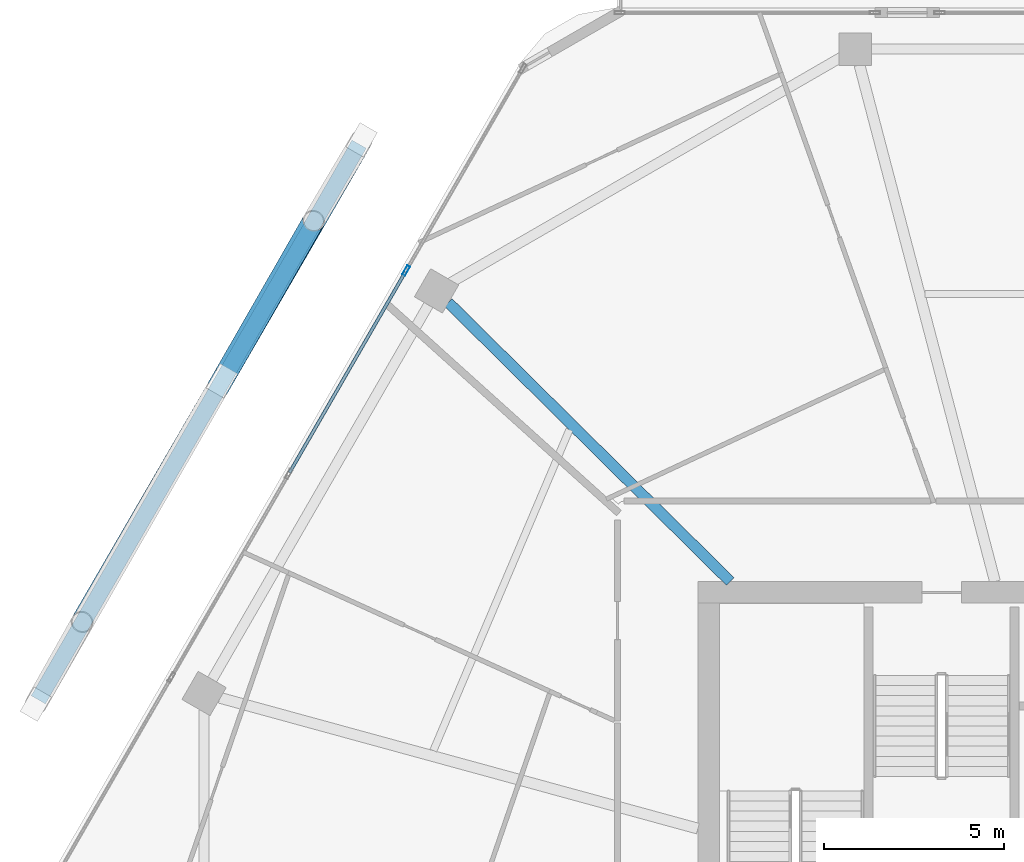
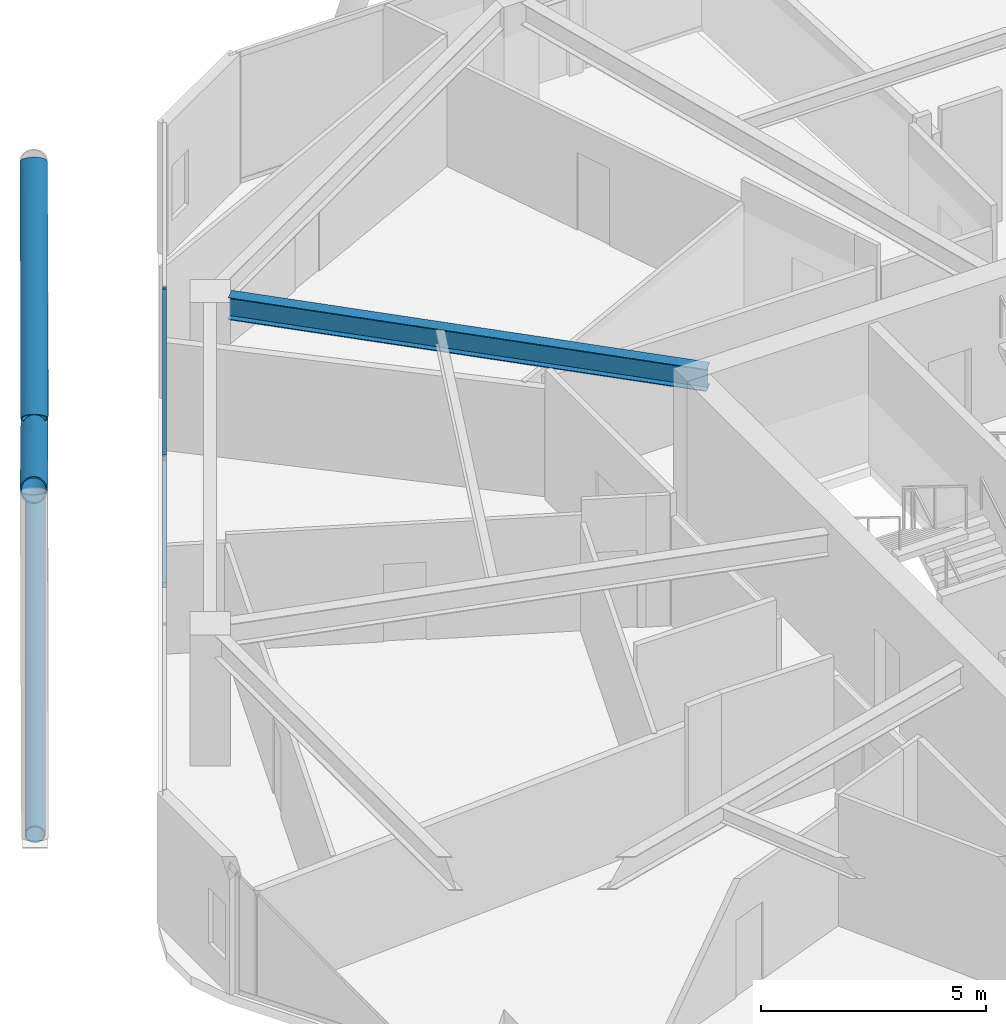
# One storey, part 13 of 26: 6 members, 1 beam, 1 element without a shape of its own.
"""IFC4 building model written with IfcOpenShell, lengths in metres."""

from ifc_helpers import new_model, si_unit, direction, frame, origin, origin_2d, place, context, subcontext, project, spatial, hollow_rectangle, hollow_circle, i_section, extrude, material, material_profile, profile_set, type_object, element, aggregate, save


model = new_model("IFC4")

# Units and contexts
model_context = context("Model", 3, precision=1e-05, world=origin(), true_north=direction((0.0, 1.0)))
body_context = subcontext(model_context, "Body", "Model", "MODEL_VIEW")
ifc_project = project(units=[si_unit("LENGTHUNIT", "METRE"), si_unit("AREAUNIT", "SQUARE_METRE"), si_unit("VOLUMEUNIT", "CUBIC_METRE"), si_unit("PLANEANGLEUNIT", "RADIAN"), si_unit("MASSUNIT", "GRAM", prefix="KILO")], contexts=[model_context])

# Site, building, storey
site_placement = place(None, origin())
site = spatial("IfcSite", under=ifc_project, at=site_placement, CompositionType="ELEMENT")
building_placement = place(site_placement, origin())
building = spatial("IfcBuilding", under=site, at=building_placement, Name="Zuhravey Tower", CompositionType="ELEMENT")
storey_placement = place(building_placement, frame((0.0, 0.0, 231.199951171875)))
storey = spatial("IfcBuildingStorey", under=building, at=storey_placement, Name="L58", CompositionType="ELEMENT", Elevation=231.199951171875)

# Curtain wall, members
ifc_material_1 = material(Name="Thermally broken anodised aluminium", Category="aluminium")
curtain_wall_type = type_object("IfcCurtainWallType", Name="Zone 3-4 High-Rise Curtain Wall CW4", PredefinedType="NOTDEFINED", material=ifc_material_1)
curtain_wall_placement = place(storey_placement, origin())
curtain_wall = element("IfcCurtainWall", 1, at=curtain_wall_placement, inside=storey, type_object=curtain_wall_type, Name="L58 CW4 CW-L58-F3-1", PredefinedType="NOTDEFINED")
ifc_material_2 = material(Name="Anodised aluminium", Category="aluminium")
ifc_material_profile_1 = material_profile(ifc_material_2, hollow_rectangle(XDim=0.090087890625, YDim=0.284912109375, WallThickness=0.0048828125, at=origin_2d()), Name="ALU-RHS-90x285x5")
ifc_profile_set_1 = profile_set([ifc_material_profile_1], Name="Anodised aluminium")
member_type_1 = type_object("IfcMemberType", Name="Curtain-Wall Mullion 90x180", PredefinedType="MULLION", material=ifc_profile_set_1)
member_1_placement = place(storey_placement, frame((17.114501953125, 50.41650390625, 0.0), z_axis=(0.0, 0.0, 1.0), x_axis=(-0.866024851021, 0.500000957414, 0.0)))
member_1 = element("IfcMember", 2, at=member_1_placement, type_object=member_type_1, Name="CW4 mullion 4", PredefinedType="MULLION", context=body_context, shape_type="SweptSolid", body=[
    extrude(hollow_rectangle(XDim=0.090087890625, YDim=0.284912109375, WallThickness=0.0048828125, at=origin_2d()), origin(), (0.0, 0.0, 1.0), 3.550048828125),
])
ifc_material_profile_2 = material_profile(ifc_material_2, hollow_rectangle(XDim=0.090087890625, YDim=0.14990234375, WallThickness=0.0048828125, at=origin_2d()), Name="ALU-RHS-90x150x5")
ifc_profile_set_2 = profile_set([ifc_material_profile_2], Name="Anodised aluminium")
member_type_2 = type_object("IfcMemberType", Name="Curtain-Wall Transom 90x150", PredefinedType="USERDEFINED", material=ifc_profile_set_2)
member_2_placement = place(storey_placement, frame((13.8837890625, 44.82080078125, 0.045166015625), z_axis=(0.500014493347, 0.866017035885, 0.0), x_axis=(-0.866017035885, 0.500014493347, 0.0)))
member_2 = element("IfcMember", 3, at=member_2_placement, type_object=member_type_2, Name="CW4 transom 3.1", ObjectType="TRANSOM", PredefinedType="USERDEFINED", context=body_context, shape_type="SweptSolid", body=[
    extrude(hollow_rectangle(XDim=0.090087890625, YDim=0.14990234375, WallThickness=0.0048828125, at=origin_2d()), origin(), (0.0, 0.0, 1.0), 6.416259765625),
])
member_3_placement = place(storey_placement, frame((13.8837890625, 44.82080078125, 3.505126953125), z_axis=(0.500014493347, 0.866017035885, 0.0), x_axis=(-0.866017035885, 0.500014493347, 0.0)))
member_3 = element("IfcMember", 4, at=member_3_placement, type_object=member_type_2, Name="CW4 transom 3.2", ObjectType="TRANSOM", PredefinedType="USERDEFINED", context=body_context, shape_type="SweptSolid", body=[
    extrude(hollow_rectangle(XDim=0.090087890625, YDim=0.14990234375, WallThickness=0.0048828125, at=origin_2d()), origin(), (0.0, 0.0, 1.0), 6.416259765625),
])
aggregate(curtain_wall, [member_1, member_2, member_3])

# Members
ifc_material_3 = material(Name="Steel SM355", Category="steel")
ifc_material_profile_3 = material_profile(ifc_material_3, hollow_circle(Radius=0.228515625, WallThickness=0.02197265625, at=origin_2d()), Name="CHS-457.2x22")
ifc_profile_set_3 = profile_set([ifc_material_profile_3], Name="Steel SM355")
member_type_3 = type_object("IfcMemberType", Name="Exoskeleton Ring Tie CHS457x22", PredefinedType="CHORD", material=ifc_profile_set_3)
member_4_placement = place(storey_placement, frame((15.8115234375, 53.919921875, -0.4638671875), z_axis=(-0.499995467921, -0.866028020366, 0.0), x_axis=(0.866028020366, -0.499995467921, 0.0)))
element("IfcMember", 5, at=member_4_placement, inside=storey, type_object=member_type_3, Name="L58 Exoskeleton Face 3 Tie EXR1", PredefinedType="CHORD", context=body_context, shape_type="SweptSolid", body=[
    extrude(hollow_circle(Radius=0.228515625, WallThickness=0.02197265625, at=origin_2d()), origin(), (0.0, 0.0, 1.0), 17.778076171875),
])
ifc_material_profile_4 = material_profile(ifc_material_3, hollow_circle(Radius=0.3046875, WallThickness=0.028076171875, at=origin_2d()), Name="CHS-609.6x28")
ifc_profile_set_4 = profile_set([ifc_material_profile_4], Name="Steel SM355")
member_type_4 = type_object("IfcMemberType", Name="Exoskeleton Zone 3 Diagrid CHS610x28", PredefinedType="BRACE", material=ifc_profile_set_4)
member_5_placement = place(storey_placement, frame((15.86328125, 54.009521484375, -0.446044921875), z_axis=(-0.450082484117, -0.776089331259, 0.441713829756), x_axis=(0.865055050852, -0.501676946845, 0.0)))
element("IfcMember", 6, at=member_5_placement, inside=storey, type_object=member_type_4, Name="L58 Face 3 Diagrid Brace 2", PredefinedType="BRACE", context=body_context, shape_type="SweptSolid", body=[
    extrude(hollow_circle(Radius=0.3046875, WallThickness=0.028076171875, at=origin_2d()), origin(), (0.0, 0.0, 1.0), 17.124755859375),
])
member_6_placement = place(storey_placement, frame((12.127197265625, 47.569580078125, 3.512451171875), z_axis=(0.398827318231, 0.695484783667, 0.597693638849), x_axis=(-0.86748591047, 0.497461752436, 0.0)))
element("IfcMember", 7, at=member_6_placement, inside=storey, type_object=member_type_4, Name="L58 Face 3 Split Diagrid Brace 3B", PredefinedType="BRACE", context=body_context, shape_type="SweptSolid", body=[
    extrude(hollow_circle(Radius=0.3046875, WallThickness=0.028076171875, at=origin_2d()), origin(), (0.0, 0.0, 1.0), 6.021728515625),
])

# Beam
ifc_material_profile_5 = material_profile(ifc_material_3, i_section(OverallWidth=0.300048828125, OverallDepth=0.60009765625, WebThickness=0.011962890625, FlangeThickness=0.02001953125, at=origin_2d()), Name="H-600x300x12x20")
ifc_profile_set_5 = profile_set([ifc_material_profile_5], Name="Steel SM355")
beam_type = type_object("IfcBeamType", Name="Radial Primary Girder H600x300", PredefinedType="BEAM", material=ifc_profile_set_5)
beam_placement = place(storey_placement, frame((26.09326171875, 41.802978515625, 3.25), z_axis=(-0.710816516282, 0.703377480576, 0.0), x_axis=(-0.703377480576, -0.710816516282, 0.0)))
element("IfcBeam", 8, at=beam_placement, inside=storey, type_object=beam_type, Name="L58 RG3 BM-L58-RAD-05", PredefinedType="BEAM", context=body_context, shape_type="SweptSolid", body=[
    extrude(i_section(OverallWidth=0.300048828125, OverallDepth=0.60009765625, WebThickness=0.011962890625, FlangeThickness=0.02001953125, at=origin_2d()), origin(), (0.0, 0.0, 1.0), 10.994384765625),
])

save(model, "model.ifc")
